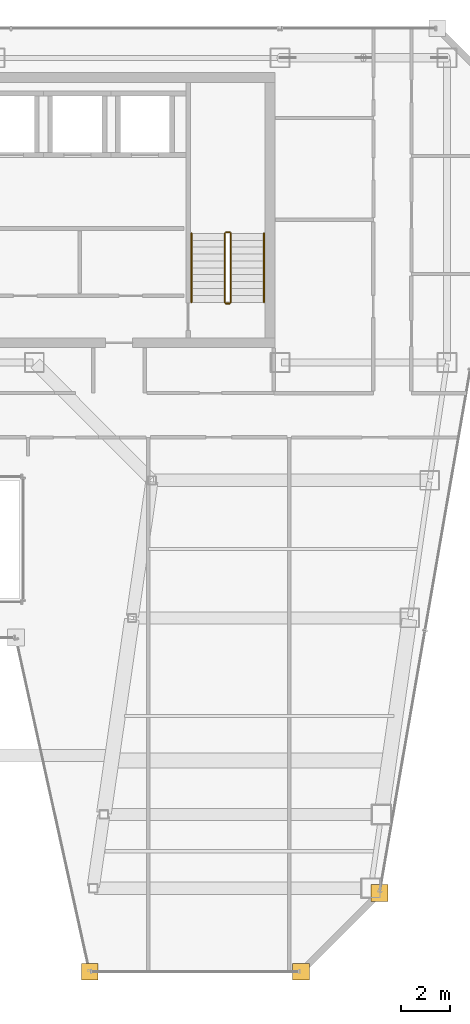
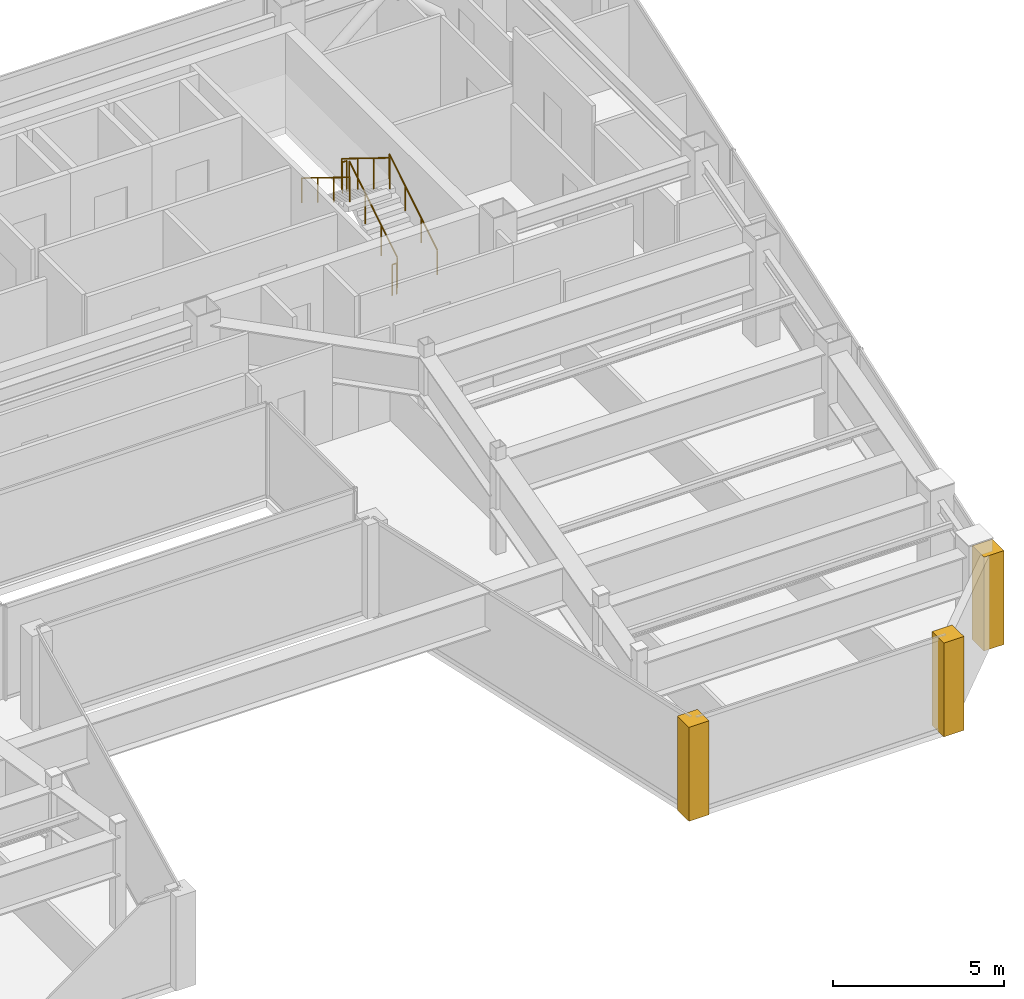
# One storey, part 34 of 35: 6 railings, 3 coverings.
"""IFC4 building model written with IfcOpenShell, lengths in metres."""

from ifc_helpers import new_model, si_unit, direction, frame, origin, origin_2d, place, context, subcontext, project, spatial, polyline, circle, outline, extrude, material, layer, layer_set, type_object, element, save


model = new_model("IFC4")

# Units and contexts
model_context = context("Model", 3, precision=1e-05, world=origin(), true_north=direction((0.0, 1.0)))
body_context = subcontext(model_context, "Body", "Model", "MODEL_VIEW")
ifc_project = project(units=[si_unit("LENGTHUNIT", "METRE"), si_unit("AREAUNIT", "SQUARE_METRE"), si_unit("VOLUMEUNIT", "CUBIC_METRE"), si_unit("PLANEANGLEUNIT", "RADIAN"), si_unit("MASSUNIT", "GRAM", prefix="KILO")], contexts=[model_context])

# Site, building, storey
site_placement = place(None, origin())
site = spatial("IfcSite", under=ifc_project, at=site_placement, CompositionType="ELEMENT")
building_placement = place(site_placement, origin())
building = spatial("IfcBuilding", under=site, at=building_placement, Name="Saevonmaru Cultural Tower", CompositionType="ELEMENT")
storey_placement = place(building_placement, frame((0.0, 0.0, 249.60009765625)))
storey = spatial("IfcBuildingStorey", under=building, at=storey_placement, Name="L58", CompositionType="ELEMENT", Elevation=249.60009765625)

# Coverings
ifc_material_1 = material(Name="Satin Bronze Anodised Aluminium", Category="aluminium")
ifc_layer = layer(ifc_material_1, 0.679931640625, Name="Satin Bronze Anodised Aluminium")
ifc_layer_set = layer_set([ifc_layer], Name="Satin Bronze Anodised Aluminium")
covering_type = type_object("IfcCoveringType", Name="CV-CORNER-CLAD", PredefinedType="CLADDING", material=ifc_layer_set)
covering_1_placement = place(storey_placement, origin())
element("IfcCovering", 1, at=covering_1_placement, inside=storey, type_object=covering_type, Name="L58 Tower Bronze Corner Cladding Pier 6", PredefinedType="CLADDING", context=body_context, shape_type="SweptSolid", body=[
    extrude(outline(polyline([(38.31298828125, 17.260009765625), (38.992919921875, 17.260009765625), (38.992919921875, 17.93994140625), (38.31298828125, 17.93994140625), (38.31298828125, 17.260009765625)])), origin(), (0.0, 0.0, 1.0), 3.349853515625),
])
covering_2_placement = place(storey_placement, origin())
element("IfcCovering", 2, at=covering_2_placement, inside=storey, type_object=covering_type, Name="L58 Tower Bronze Corner Cladding Pier 7", PredefinedType="CLADDING", context=body_context, shape_type="SweptSolid", body=[
    extrude(outline(polyline([(46.9130859375, 17.260009765625), (47.593017578125, 17.260009765625), (47.593017578125, 17.93994140625), (46.9130859375, 17.93994140625), (46.9130859375, 17.260009765625)])), origin(), (0.0, 0.0, 1.0), 3.349853515625),
])
covering_3_placement = place(storey_placement, origin())
element("IfcCovering", 3, at=covering_3_placement, inside=storey, type_object=covering_type, Name="L58 Tower Bronze Corner Cladding Pier 8", PredefinedType="CLADDING", context=body_context, shape_type="SweptSolid", body=[
    extrude(outline(polyline([(50.113037109375, 20.4599609375), (50.79296875, 20.4599609375), (50.79296875, 21.139892578125), (50.113037109375, 21.139892578125), (50.113037109375, 20.4599609375)])), origin(), (0.0, 0.0, 1.0), 3.349853515625),
])

# Railings
ifc_material_2 = material(Name="Architectural Painted Steel", Category="steel")
railing_type_1 = type_object("IfcRailingType", Name="RL-STAIR-GUARD", PredefinedType="GUARDRAIL", material=ifc_material_2)
railing_1_placement = place(storey_placement, frame((44.39990234375, 44.85009765625, 0.172607421875)))
element("IfcRailing", 4, at=railing_1_placement, inside=storey, type_object=railing_type_1, Name="L58 ST-2 stair guard 1", PredefinedType="GUARDRAIL", context=body_context, shape_type="SweptSolid", body=[
    extrude(circle(Radius=0.02392578125, at=origin_2d()), frame((0.0, 0.0, 1.09619140625), z_axis=(0.0, 0.851069175582, 0.525053576669), x_axis=(-1.0, 0.0, 0.0)), (0.0, 0.0, 1.0), 3.289794921875),
    extrude(circle(Radius=0.02099609375, at=origin_2d()), origin(), (0.0, 0.0, 1.0), 1.072021484375),
    extrude(circle(Radius=0.02099609375, at=origin_2d()), frame((0.0, 0.933349609375, 0.57568359375)), (0.0, 0.0, 1.0), 1.072021484375),
    extrude(circle(Radius=0.02099609375, at=origin_2d()), frame((0.0, 1.866455078125, 1.151611328125)), (0.0, 0.0, 1.0), 1.072021484375),
    extrude(circle(Radius=0.02099609375, at=origin_2d()), frame((0.0, 2.7998046875, 1.727294921875)), (0.0, 0.0, 1.0), 1.072021484375),
])
railing_2_placement = place(storey_placement, frame((44.35009765625, 47.699951171875, 1.89990234375)))
element("IfcRailing", 5, at=railing_2_placement, inside=storey, type_object=railing_type_1, Name="L58 ST-2 stair guard 2", PredefinedType="GUARDRAIL", context=body_context, shape_type="SweptSolid", body=[
    extrude(circle(Radius=0.02392578125, at=origin_2d()), frame((0.0, 0.0, 1.09619140625), z_axis=(-1.0, 0.0, 0.0), x_axis=(0.0, -1.0, 0.0)), (0.0, 0.0, 1.0), 0.150146484375),
    extrude(circle(Radius=0.02099609375, at=origin_2d()), origin(), (0.0, 0.0, 1.0), 1.072021484375),
    extrude(circle(Radius=0.02099609375, at=origin_2d()), frame((-0.150146484375, 0.0, 0.0)), (0.0, 0.0, 1.0), 1.072021484375),
])
railing_3_placement = place(storey_placement, frame((44.14990234375, 47.64990234375, 2.072509765625)))
element("IfcRailing", 6, at=railing_3_placement, inside=storey, type_object=railing_type_1, Name="L58 ST-2 stair guard 3", PredefinedType="GUARDRAIL", context=body_context, shape_type="SweptSolid", body=[
    extrude(circle(Radius=0.02392578125, at=origin_2d()), frame((0.0, 0.0, 1.09619140625), z_axis=(0.0, -0.851069175582, 0.525053576669), x_axis=(1.0, 0.0, 0.0)), (0.0, 0.0, 1.0), 3.289794921875),
    extrude(circle(Radius=0.02099609375, at=origin_2d()), origin(), (0.0, 0.0, 1.0), 1.072021484375),
    extrude(circle(Radius=0.02099609375, at=origin_2d()), frame((0.0, -0.933349609375, 0.57568359375)), (0.0, 0.0, 1.0), 1.072021484375),
    extrude(circle(Radius=0.02099609375, at=origin_2d()), frame((0.0, -1.866455078125, 1.151611328125)), (0.0, 0.0, 1.0), 1.072021484375),
    extrude(circle(Radius=0.02099609375, at=origin_2d()), frame((0.0, -2.7998046875, 1.727294921875)), (0.0, 0.0, 1.0), 1.072021484375),
])
railing_4_placement = place(storey_placement, frame((44.35009765625, 44.800048828125, 0.0)))
element("IfcRailing", 7, at=railing_4_placement, inside=storey, type_object=railing_type_1, Name="L58 ST-2 stair guard 4", PredefinedType="GUARDRAIL", context=body_context, shape_type="SweptSolid", body=[
    extrude(circle(Radius=0.02392578125, at=origin_2d()), frame((0.0, 0.0, 1.09619140625), z_axis=(-1.0, 0.0, 0.0), x_axis=(0.0, -1.0, 0.0)), (0.0, 0.0, 1.0), 0.150146484375),
    extrude(circle(Radius=0.02099609375, at=origin_2d()), origin(), (0.0, 0.0, 1.0), 1.072021484375),
    extrude(circle(Radius=0.02099609375, at=origin_2d()), frame((-0.150146484375, 0.0, 0.0)), (0.0, 0.0, 1.0), 1.072021484375),
])
railing_type_2 = type_object("IfcRailingType", Name="RL-STAIR-HANDRAIL", PredefinedType="HANDRAIL", material=ifc_material_1)
railing_5_placement = place(storey_placement, frame((45.75, 44.85009765625, 0.172607421875)))
element("IfcRailing", 8, at=railing_5_placement, inside=storey, type_object=railing_type_2, Name="L58 ST-2 stair handrail 1", PredefinedType="HANDRAIL", context=body_context, shape_type="SweptSolid", body=[
    extrude(circle(Radius=0.02392578125, at=origin_2d()), frame((0.0, 0.0, 0.8759765625), z_axis=(0.0, 0.851069175582, 0.525053576669), x_axis=(-1.0, 0.0, 0.0)), (0.0, 0.0, 1.0), 3.289794921875),
    extrude(circle(Radius=0.02099609375, at=origin_2d()), origin(), (0.0, 0.0, 1.0), 0.851806640625),
    extrude(circle(Radius=0.02099609375, at=origin_2d()), frame((0.0, 0.933349609375, 0.57568359375)), (0.0, 0.0, 1.0), 0.851806640625),
    extrude(circle(Radius=0.02099609375, at=origin_2d()), frame((0.0, 1.866455078125, 1.151611328125)), (0.0, 0.0, 1.0), 0.851806640625),
    extrude(circle(Radius=0.02099609375, at=origin_2d()), frame((0.0, 2.7998046875, 1.727294921875)), (0.0, 0.0, 1.0), 0.851806640625),
])
railing_6_placement = place(storey_placement, frame((42.800048828125, 47.64990234375, 2.072509765625)))
element("IfcRailing", 9, at=railing_6_placement, inside=storey, type_object=railing_type_2, Name="L58 ST-2 stair handrail 2", PredefinedType="HANDRAIL", context=body_context, shape_type="SweptSolid", body=[
    extrude(circle(Radius=0.02392578125, at=origin_2d()), frame((0.0, 0.0, 0.8759765625), z_axis=(0.0, -0.851069175582, 0.525053576669), x_axis=(1.0, 0.0, 0.0)), (0.0, 0.0, 1.0), 3.289794921875),
    extrude(circle(Radius=0.02099609375, at=origin_2d()), origin(), (0.0, 0.0, 1.0), 0.851806640625),
    extrude(circle(Radius=0.02099609375, at=origin_2d()), frame((0.0, -0.933349609375, 0.57568359375)), (0.0, 0.0, 1.0), 0.851806640625),
    extrude(circle(Radius=0.02099609375, at=origin_2d()), frame((0.0, -1.866455078125, 1.151611328125)), (0.0, 0.0, 1.0), 0.851806640625),
    extrude(circle(Radius=0.02099609375, at=origin_2d()), frame((0.0, -2.7998046875, 1.727294921875)), (0.0, 0.0, 1.0), 0.851806640625),
])

save(model, "model.ifc")
